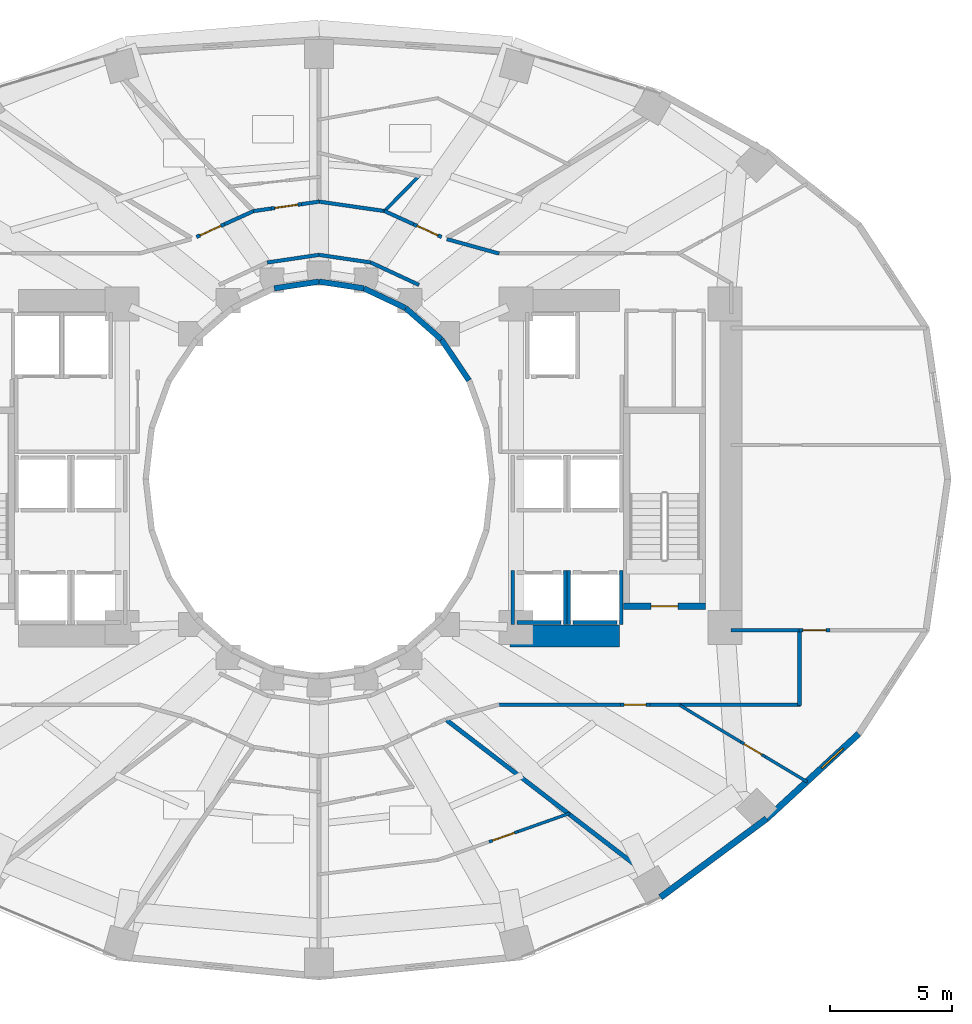
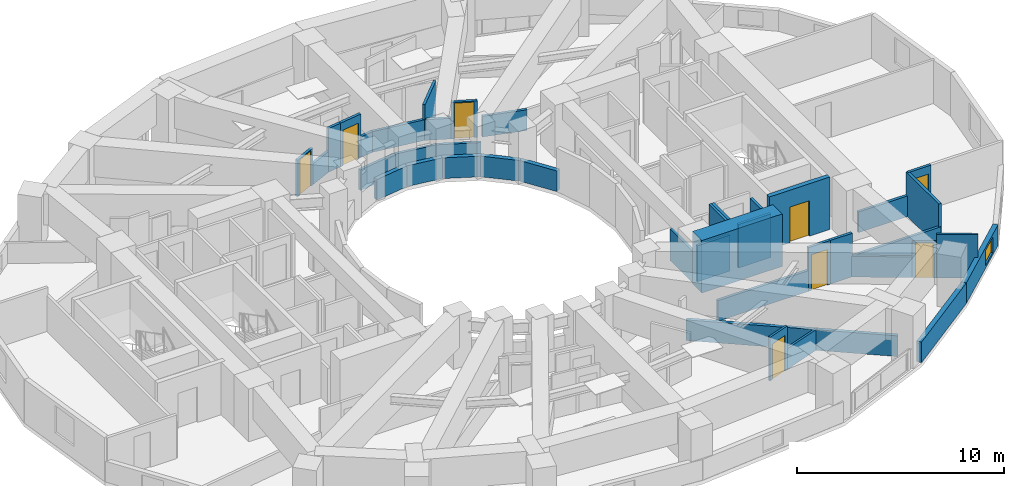
# One storey, part 11 of 16: 41 walls, 8 doors, 1 window, 9 openings.
"""IFC4 building model written with IfcOpenShell, lengths in metres."""

from ifc_helpers import new_model, si_unit, direction, frame, frame_2d, origin, place, context, subcontext, project, spatial, rectangle, extrude, material, layer, layer_set, type_object, element, fill, save


model = new_model("IFC4")

# Units and contexts
model_context = context("Model", 3, precision=1e-05, world=origin(), true_north=direction((0.0, 1.0)))
body_context = subcontext(model_context, "Body", "Model", "MODEL_VIEW")
ifc_project = project(units=[si_unit("LENGTHUNIT", "METRE"), si_unit("AREAUNIT", "SQUARE_METRE"), si_unit("VOLUMEUNIT", "CUBIC_METRE"), si_unit("PLANEANGLEUNIT", "RADIAN"), si_unit("MASSUNIT", "GRAM", prefix="KILO")], contexts=[model_context])

# Site, building, storey
site_placement = place(None, origin())
site = spatial("IfcSite", under=ifc_project, at=site_placement, CompositionType="ELEMENT")
building_placement = place(site_placement, origin())
building = spatial("IfcBuilding", under=site, at=building_placement, Name="Solvane Sanctuary Tower", CompositionType="ELEMENT")
storey_placement = place(building_placement, frame((0.0, 0.0, 61.699951171875)))
storey = spatial("IfcBuildingStorey", under=building, at=storey_placement, Name="L18", CompositionType="ELEMENT", Elevation=61.699951171875)

# Walls
ifc_material_1 = material(Name="Concrete C70/85", Category="concrete")
ifc_layer_1 = layer(ifc_material_1, 0.89990234375, Name="Concrete C70/85")
ifc_layer_set_1 = layer_set([ifc_layer_1], Name="Concrete C70/85")
wall_type_1 = type_object("IfcWallType", Name="Wall W-CORE-900", PredefinedType="SHEAR", material=ifc_layer_set_1)
wall_1_placement = place(storey_placement, frame((39.85009765625, 16.550048828125, 0.0), z_axis=(0.0, 0.0, 1.0), x_axis=(1.0, 0.0, 0.0)))
element("IfcWall", 1, at=wall_1_placement, inside=storey, type_object=wall_type_1, Name="L18 Core Shear Wall EC-S", PredefinedType="SHEAR", context=body_context, shape_type="SweptSolid", body=[
    extrude(rectangle(XDim=4.5, YDim=0.89990234375, at=frame_2d((2.25, 0.0))), origin(), (0.0, 0.0, 1.0), 3.10009765625),
])
ifc_material_2 = material(Name="Acoustic Gypsum Partition Board")
ifc_layer_2 = layer(ifc_material_2, 0.14990234375, Name="Acoustic Gypsum Partition Board")
ifc_layer_set_2 = layer_set([ifc_layer_2], Name="Acoustic Gypsum Partition Board")
wall_type_2 = type_object("IfcWallType", Name="Wall W-CORR-150", PredefinedType="PARTITIONING", material=ifc_layer_set_2)
wall_2_placement = place(storey_placement, frame((36.110107421875, 30.98486328125, 0.0), z_axis=(0.0, 0.0, 1.0), x_axis=(-0.906943449489, 0.421252393975, 0.0)))
element("IfcWall", 2, at=wall_2_placement, inside=storey, type_object=wall_type_2, Name="L18 Light-Well Corridor Rim Wall N1", PredefinedType="PARTITIONING", context=body_context, shape_type="SweptSolid", body=[
    extrude(rectangle(XDim=2.18603515625, YDim=0.14990234375, at=frame_2d((1.093017578125, 0.0))), origin(), (0.0, 0.0, 1.0), 1.219970703125),
])
for number, where, z_axis, x_axis, name in (
    (3, (34.12744140625, 31.90576171875, 0.0), (0.0, 0.0, 1.0), (-0.989268584896, 0.146108408166, 0.0), "L18 Light-Well Corridor Rim Wall N2"),
    (4, (32.0, 32.219970703125, 0.0), (0.0, 0.0, 1.0), (-0.989268584896, -0.146108408166, 0.0), "L18 Light-Well Corridor Rim Wall N3"),
):
    element("IfcWall", number, at=place(storey_placement, frame(where, z_axis=z_axis, x_axis=x_axis)), inside=storey, type_object=wall_type_2, Name=name, PredefinedType="PARTITIONING", context=body_context, shape_type="SweptSolid", body=[
        extrude(rectangle(XDim=2.150634765625, YDim=0.14990234375, at=frame_2d((1.0751953125, 0.0))), origin(), (0.0, 0.0, 1.0), 1.219970703125),
    ])
wall_3_placement = place(storey_placement, frame((48.949951171875, 16.788330078125, 0.0), z_axis=(0.0, 0.0, 1.0), x_axis=(1.0, 0.0, 0.0)))
element("IfcWall", 5, at=wall_3_placement, inside=storey, type_object=wall_type_2, Name="L18 East Shoulder South Wall", PredefinedType="PARTITIONING", context=body_context, shape_type="SweptSolid", body=[
    extrude(rectangle(XDim=2.79296875, YDim=0.14990234375, at=frame_2d((1.396484375, 0.0))), origin(), (0.0, 0.0, 1.0), 1.219970703125),
])

# Wall, opening, door
wall_4_placement = place(storey_placement, frame((51.742919921875, 16.788330078125, 0.0), z_axis=(0.0, 0.0, 1.0), x_axis=(1.0, 0.0, 0.0)))
wall_4 = element("IfcWall", 6, at=wall_4_placement, inside=storey, type_object=wall_type_2, Name="L18 East Shoulder South Wall", PredefinedType="PARTITIONING", context=body_context, shape_type="SweptSolid", body=[
    extrude(rectangle(XDim=1.27001953125, YDim=0.14990234375, at=frame_2d((0.635009765625, 0.0))), origin(), (0.0, 0.0, 1.0), 2.574951171875),
])
opening_1_placement = place(wall_4_placement, frame((0.159912109375, 0.0, 0.0)))
opening_1 = element("IfcOpeningElement", 7, at=opening_1_placement, cuts=wall_4, Name="Opening D-L18-10", PredefinedType="OPENING", context=body_context, shape_type="SweptSolid", body=[
    extrude(rectangle(XDim=0.949951171875, YDim=2.10009765625, at=frame_2d((0.47509765625, 1.050048828125))), frame((0.0, 0.0849609375, 0.0), z_axis=(0.0, -1.0, 0.0), x_axis=(1.0, 0.0, 0.0)), (0.0, 0.0, 1.0), 0.169921875),
])
ifc_material_3 = material(Name="Engineered Tropical Hardwood", Category="wood")
door_type_1 = type_object("IfcDoorType", Name="Door D-ROOM-950", OperationType="NOTDEFINED", PredefinedType="DOOR", material=ifc_material_3)
door_1_placement = place(opening_1_placement, origin())
door_1 = element("IfcDoor", 8, at=door_1_placement, inside=storey, type_object=door_type_1, Name="L18 East Shoulder South Door", OperationType="SINGLE_SWING_LEFT", OverallHeight=2.10009765625, OverallWidth=0.949951171875, PredefinedType="DOOR", context=body_context, shape_type="SweptSolid", body=[
    extrude(rectangle(XDim=0.949951171875, YDim=2.10009765625, at=frame_2d((0.47509765625, 1.050048828125))), frame((0.0, 0.02490234375, 0.0), z_axis=(0.0, -1.0, 0.0), x_axis=(1.0, 0.0, 0.0)), (0.0, 0.0, 1.0), 0.050048828125),
])
fill(opening_1, door_1)

# Walls
wall_5_placement = place(storey_placement, frame((37.258056640625, 32.86669921875, 0.0), z_axis=(0.0, 0.0, 1.0), x_axis=(0.963833843713, -0.266503886865, 0.0)))
element("IfcWall", 9, at=wall_5_placement, inside=storey, type_object=wall_type_2, Name="L18 NE Corner Throat Wall", PredefinedType="PARTITIONING", context=body_context, shape_type="SweptSolid", body=[
    extrude(rectangle(XDim=2.231689453125, YDim=0.14990234375, at=frame_2d((1.11572265625, 0.0))), origin(), (0.0, 0.0, 1.0), 1.219970703125),
])
wall_6_placement = place(storey_placement, frame((51.760009765625, 13.679931640625, 0.0), z_axis=(0.0, 0.0, 1.0), x_axis=(0.0, 1.0, 0.0)))
element("IfcWall", 10, at=wall_6_placement, inside=storey, type_object=wall_type_2, Name="L18 SE Corner Closer 1", PredefinedType="PARTITIONING", context=body_context, shape_type="SweptSolid", body=[
    extrude(rectangle(XDim=3.1484375, YDim=0.14990234375, at=frame_2d((1.57421875, 0.0))), origin(), (0.0, 0.0, 1.0), 2.574951171875),
])
wall_7_placement = place(storey_placement, frame((39.330078125, 13.719970703125, 0.0), z_axis=(0.0, 0.0, 1.0), x_axis=(1.0, 0.0, 0.0)))
element("IfcWall", 11, at=wall_7_placement, inside=storey, type_object=wall_type_2, Name="L18 SE Corner Corridor Wall", PredefinedType="PARTITIONING", context=body_context, shape_type="SweptSolid", body=[
    extrude(rectangle(XDim=5.059814453125, YDim=0.14990234375, at=frame_2d((2.52978515625, 0.0))), origin(), (0.0, 0.0, 1.0), 1.219970703125),
])

# Wall, opening, door
wall_8_placement = place(storey_placement, frame((44.389892578125, 13.719970703125, 0.0), z_axis=(0.0, 0.0, 1.0), x_axis=(1.0, 0.0, 0.0)))
wall_8 = element("IfcWall", 12, at=wall_8_placement, inside=storey, type_object=wall_type_2, Name="L18 SE Corner Corridor Wall", PredefinedType="PARTITIONING", context=body_context, shape_type="SweptSolid", body=[
    extrude(rectangle(XDim=1.22021484375, YDim=0.14990234375, at=frame_2d((0.610107421875, 0.0))), origin(), (0.0, 0.0, 1.0), 2.574951171875),
])
opening_2_placement = place(wall_8_placement, frame((0.159912109375, 0.0, 0.0)))
opening_2 = element("IfcOpeningElement", 13, at=opening_2_placement, cuts=wall_8, Name="Opening D-L18-19", PredefinedType="OPENING", context=body_context, shape_type="SweptSolid", body=[
    extrude(rectangle(XDim=0.89990234375, YDim=2.10009765625, at=frame_2d((0.449951171875, 1.050048828125))), frame((0.0, 0.0849609375, 0.0), z_axis=(0.0, -1.0, 0.0), x_axis=(1.0, 0.0, 0.0)), (0.0, 0.0, 1.0), 0.169921875),
])
door_type_2 = type_object("IfcDoorType", Name="Door D-WET-900", OperationType="NOTDEFINED", PredefinedType="DOOR", material=ifc_material_3)
door_2_placement = place(opening_2_placement, origin())
door_2 = element("IfcDoor", 14, at=door_2_placement, inside=storey, type_object=door_type_2, Name="L18 SE Corner Salon Door", OperationType="SINGLE_SWING_RIGHT", OverallHeight=2.10009765625, OverallWidth=0.89990234375, PredefinedType="DOOR", context=body_context, shape_type="SweptSolid", body=[
    extrude(rectangle(XDim=0.89990234375, YDim=2.10009765625, at=frame_2d((0.449951171875, 1.050048828125))), frame((0.0, 0.02490234375, 0.0), z_axis=(0.0, -1.0, 0.0), x_axis=(1.0, 0.0, 0.0)), (0.0, 0.0, 1.0), 0.050048828125),
])
fill(opening_2, door_2)

# Walls
wall_9_placement = place(storey_placement, frame((45.610107421875, 13.719970703125, 0.0), z_axis=(0.0, 0.0, 1.0), x_axis=(1.0, 0.0, 0.0)))
element("IfcWall", 15, at=wall_9_placement, inside=storey, type_object=wall_type_2, Name="L18 SE Corner Corridor Wall", PredefinedType="PARTITIONING", context=body_context, shape_type="SweptSolid", body=[
    extrude(rectangle(XDim=1.239990234375, YDim=0.14990234375, at=frame_2d((0.6201171875, 0.0))), origin(), (0.0, 0.0, 1.0), 2.574951171875),
])
wall_10_placement = place(storey_placement, frame((46.75, 13.719970703125, 0.0), z_axis=(0.0, 0.0, 1.0), x_axis=(1.0, 0.0, 0.0)))
element("IfcWall", 16, at=wall_10_placement, inside=storey, type_object=wall_type_2, Name="L18 SE Corner Wing Wall", PredefinedType="PARTITIONING", context=body_context, shape_type="SweptSolid", body=[
    extrude(rectangle(XDim=5.050048828125, YDim=0.14990234375, at=frame_2d((2.52490234375, 0.0))), origin(), (0.0, 0.0, 1.0), 1.219970703125),
])
wall_11_placement = place(storey_placement, frame((34.743896484375, 34.01416015625, 0.0), z_axis=(0.0, 0.0, 1.0), x_axis=(-0.989761784218, 0.142729150844, 0.0)))
element("IfcWall", 17, at=wall_11_placement, inside=storey, type_object=wall_type_2, Name="L18 En-suite Inner Wall N1", PredefinedType="PARTITIONING", context=body_context, shape_type="SweptSolid", body=[
    extrude(rectangle(XDim=2.822265625, YDim=0.14990234375, at=frame_2d((1.4111328125, 0.0))), origin(), (0.0, 0.0, 1.0), 1.219970703125),
])

# Wall, opening, door
wall_12_placement = place(storey_placement, frame((37.0419921875, 32.954345703125, 0.0), z_axis=(0.0, 0.0, 1.0), x_axis=(-0.910596749825, 0.413295970472, 0.0)))
wall_12 = element("IfcWall", 18, at=wall_12_placement, inside=storey, type_object=wall_type_2, Name="L18 Unit Corridor Wall N1", PredefinedType="PARTITIONING", context=body_context, shape_type="SweptSolid", body=[
    extrude(rectangle(XDim=1.27001953125, YDim=0.14990234375, at=frame_2d((0.635009765625, 0.0))), origin(), (0.0, 0.0, 1.0), 2.16015625),
])
opening_3_placement = place(wall_12_placement, frame((0.159912109375, 0.0, 0.0)))
opening_3 = element("IfcOpeningElement", 19, at=opening_3_placement, cuts=wall_12, Name="Opening D-L18-22", PredefinedType="OPENING", context=body_context, shape_type="SweptSolid", body=[
    extrude(rectangle(XDim=0.949951171875, YDim=2.10009765625, at=frame_2d((0.47509765625, 1.050048828125))), frame((0.0, 0.0849609375, 0.0), z_axis=(0.0, -1.0, 0.0), x_axis=(1.0, 0.0, 0.0)), (0.0, 0.0, 1.0), 0.169921875),
])
door_3_placement = place(opening_3_placement, origin())
door_3 = element("IfcDoor", 20, at=door_3_placement, inside=storey, type_object=door_type_1, Name="L18 Unit Entrance Door N1", OperationType="SINGLE_SWING_LEFT", OverallHeight=2.10009765625, OverallWidth=0.949951171875, PredefinedType="DOOR", context=body_context, shape_type="SweptSolid", body=[
    extrude(rectangle(XDim=0.949951171875, YDim=2.10009765625, at=frame_2d((0.47509765625, 1.050048828125))), frame((0.0, 0.02490234375, 0.0), z_axis=(0.0, -1.0, 0.0), x_axis=(1.0, 0.0, 0.0)), (0.0, 0.0, 1.0), 0.050048828125),
])
fill(opening_3, door_3)

# Walls
wall_13_placement = place(storey_placement, frame((35.885498046875, 33.479248046875, 0.0), z_axis=(0.0, 0.0, 1.0), x_axis=(-0.910569685542, 0.413355594822, 0.0)))
element("IfcWall", 21, at=wall_13_placement, inside=storey, type_object=wall_type_2, Name="L18 Unit Corridor Wall N1", PredefinedType="PARTITIONING", context=body_context, shape_type="SweptSolid", body=[
    extrude(rectangle(XDim=1.31591796875, YDim=0.14990234375, at=frame_2d((0.657958984375, 0.0))), origin(), (0.0, 0.0, 1.0), 1.219970703125),
])
wall_14_placement = place(storey_placement, frame((32.00732421875, 34.409912109375, 0.0), z_axis=(0.0, 0.0, 1.0), x_axis=(-0.989795766197, -0.142493302365, 0.0)))
element("IfcWall", 22, at=wall_14_placement, inside=storey, type_object=wall_type_2, Name="L18 Unit Corridor Wall N2", PredefinedType="PARTITIONING", context=body_context, shape_type="SweptSolid", body=[
    extrude(rectangle(XDim=0.7333984375, YDim=0.14990234375, at=frame_2d((0.36669921875, 0.0))), origin(), (0.0, 0.0, 1.0), 1.219970703125),
])

# Wall, opening, door
wall_15_placement = place(storey_placement, frame((31.281494140625, 34.305419921875, 0.0), z_axis=(0.0, 0.0, 1.0), x_axis=(-0.989721405299, -0.14300888047, 0.0)))
wall_15 = element("IfcWall", 23, at=wall_15_placement, inside=storey, type_object=wall_type_2, Name="L18 Unit Corridor Wall N2", PredefinedType="PARTITIONING", context=body_context, shape_type="SweptSolid", body=[
    extrude(rectangle(XDim=1.27001953125, YDim=0.14990234375, at=frame_2d((0.635009765625, 0.0))), origin(), (0.0, 0.0, 1.0), 2.574951171875),
])
opening_4_placement = place(wall_15_placement, frame((0.159912109375, 0.0, 0.0)))
opening_4 = element("IfcOpeningElement", 24, at=opening_4_placement, cuts=wall_15, Name="Opening D-L18-24", PredefinedType="OPENING", context=body_context, shape_type="SweptSolid", body=[
    extrude(rectangle(XDim=0.949951171875, YDim=2.10009765625, at=frame_2d((0.47509765625, 1.050048828125))), frame((0.0, 0.0849609375, 0.0), z_axis=(0.0, -1.0, 0.0), x_axis=(1.0, 0.0, 0.0)), (0.0, 0.0, 1.0), 0.169921875),
])
door_4_placement = place(opening_4_placement, origin())
door_4 = element("IfcDoor", 25, at=door_4_placement, inside=storey, type_object=door_type_1, Name="L18 Unit Entrance Door N2", OperationType="SINGLE_SWING_LEFT", OverallHeight=2.10009765625, OverallWidth=0.949951171875, PredefinedType="DOOR", context=body_context, shape_type="SweptSolid", body=[
    extrude(rectangle(XDim=0.949951171875, YDim=2.10009765625, at=frame_2d((0.47509765625, 1.050048828125))), frame((0.0, 0.02490234375, 0.0), z_axis=(0.0, -1.0, 0.0), x_axis=(1.0, 0.0, 0.0)), (0.0, 0.0, 1.0), 0.050048828125),
])
fill(opening_4, door_4)

# Walls
wall_16_placement = place(storey_placement, frame((30.0244140625, 34.123779296875, 0.0), z_axis=(0.0, 0.0, 1.0), x_axis=(-0.98974875873, -0.142819447526, 0.0)))
element("IfcWall", 26, at=wall_16_placement, inside=storey, type_object=wall_type_2, Name="L18 Unit Corridor Wall N2", PredefinedType="PARTITIONING", context=body_context, shape_type="SweptSolid", body=[
    extrude(rectangle(XDim=0.7333984375, YDim=0.14990234375, at=frame_2d((0.36669921875, 0.0))), origin(), (0.0, 0.0, 1.0), 2.574951171875),
])
wall_17_placement = place(storey_placement, frame((29.312744140625, 34.023193359375, 0.0), z_axis=(0.0, 0.0, 1.0), x_axis=(-0.910569685542, -0.413355594822, 0.0)))
element("IfcWall", 27, at=wall_17_placement, inside=storey, type_object=wall_type_2, Name="L18 Unit Corridor Wall N3", PredefinedType="PARTITIONING", context=body_context, shape_type="SweptSolid", body=[
    extrude(rectangle(XDim=1.31591796875, YDim=0.14990234375, at=frame_2d((0.657958984375, 0.0))), origin(), (0.0, 0.0, 1.0), 1.219970703125),
])

# Wall, opening, door
wall_18_placement = place(storey_placement, frame((28.114501953125, 33.479248046875, 0.0), z_axis=(0.0, 0.0, 1.0), x_axis=(-0.910596749825, -0.413295970472, 0.0)))
wall_18 = element("IfcWall", 28, at=wall_18_placement, inside=storey, type_object=wall_type_2, Name="L18 Unit Corridor Wall N3", PredefinedType="PARTITIONING", context=body_context, shape_type="SweptSolid", body=[
    extrude(rectangle(XDim=1.27001953125, YDim=0.14990234375, at=frame_2d((0.635009765625, 0.0))), origin(), (0.0, 0.0, 1.0), 2.16015625),
])
opening_5_placement = place(wall_18_placement, frame((0.159912109375, 0.0, 0.0)))
opening_5 = element("IfcOpeningElement", 29, at=opening_5_placement, cuts=wall_18, Name="Opening D-L18-25", PredefinedType="OPENING", context=body_context, shape_type="SweptSolid", body=[
    extrude(rectangle(XDim=0.949951171875, YDim=2.10009765625, at=frame_2d((0.47509765625, 1.050048828125))), frame((0.0, 0.0849609375, 0.0), z_axis=(0.0, -1.0, 0.0), x_axis=(1.0, 0.0, 0.0)), (0.0, 0.0, 1.0), 0.169921875),
])
door_5_placement = place(opening_5_placement, origin())
door_5 = element("IfcDoor", 30, at=door_5_placement, inside=storey, type_object=door_type_1, Name="L18 Unit Entrance Door N3", OperationType="SINGLE_SWING_RIGHT", OverallHeight=2.10009765625, OverallWidth=0.949951171875, PredefinedType="DOOR", context=body_context, shape_type="SweptSolid", body=[
    extrude(rectangle(XDim=0.949951171875, YDim=2.10009765625, at=frame_2d((0.47509765625, 1.050048828125))), frame((0.0, 0.02490234375, 0.0), z_axis=(0.0, -1.0, 0.0), x_axis=(1.0, 0.0, 0.0)), (0.0, 0.0, 1.0), 0.050048828125),
])
fill(opening_5, door_5)

# Wall
ifc_material_4 = material(Name="Precast concrete C40/50", Category="concrete")
ifc_layer_3 = layer(ifc_material_4, 0.260009765625, Name="Precast concrete C40/50")
ifc_layer_set_3 = layer_set([ifc_layer_3], Name="Precast concrete C40/50")
wall_type_3 = type_object("IfcWallType", Name="Wall W-EXT-250", PredefinedType="STANDARD", material=ifc_layer_set_3)
wall_19_placement = place(storey_placement, frame((46.0419921875, 5.802978515625, 0.0), z_axis=(0.0, 0.0, 1.0), x_axis=(0.803477531792, 0.595335078679, 0.0)))
element("IfcWall", 31, at=wall_19_placement, inside=storey, type_object=wall_type_3, Name="L18 Ceramic-Printed Facade Wall 20", PredefinedType="STANDARD", context=body_context, shape_type="SweptSolid", body=[
    extrude(rectangle(XDim=5.4296875, YDim=0.260009765625, at=frame_2d((2.71484375, 0.0))), origin(), (0.0, 0.0, 1.0), 1.219970703125),
])

# Wall, opening, window
wall_20_placement = place(storey_placement, frame((50.404541015625, 9.035400390625, 0.0), z_axis=(0.0, 0.0, 1.0), x_axis=(0.735655109293, 0.67735630223, 0.0)))
wall_20 = element("IfcWall", 32, at=wall_20_placement, inside=storey, type_object=wall_type_3, Name="L18 Ceramic-Printed Facade Wall 21", PredefinedType="STANDARD", context=body_context, shape_type="SweptSolid", body=[
    extrude(rectangle(XDim=5.15087890625, YDim=0.260009765625, at=frame_2d((2.575439453125, 0.0))), origin(), (0.0, 0.0, 1.0), 1.219970703125),
])
opening_6_placement = place(wall_20_placement, frame((3.073974609375, 0.0, 0.14990234375)))
opening_6 = element("IfcOpeningElement", 33, at=opening_6_placement, cuts=wall_20, Name="Opening WN-OPER-1200", PredefinedType="OPENING", context=body_context, shape_type="SweptSolid", body=[
    extrude(rectangle(XDim=1.199951171875, YDim=0.89990234375, at=frame_2d((0.60009765625, 0.449951171875))), frame((0.0, 0.139892578125, 0.0), z_axis=(0.0, -1.0, 0.0), x_axis=(1.0, 0.0, 0.0)), (0.0, 0.0, 1.0), 0.280029296875),
])
ifc_material_5 = material(Name="Dark Ceramic-Fritted Low-E Glass", Category="glass")
window_type = type_object("IfcWindowType", Name="Window WN-OPER-1200", PartitioningType="SINGLE_PANEL", PredefinedType="WINDOW", material=ifc_material_5)
window_placement = place(opening_6_placement, origin())
window = element("IfcWindow", 34, at=window_placement, inside=storey, type_object=window_type, Name="L18 Operable Facade Window 21", OverallHeight=0.89990234375, OverallWidth=1.199951171875, PartitioningType="SINGLE_PANEL", PredefinedType="WINDOW", context=body_context, shape_type="SweptSolid", body=[
    extrude(rectangle(XDim=1.199951171875, YDim=0.89990234375, at=frame_2d((0.60009765625, 0.449951171875))), frame((0.0, 0.030029296875, 0.0), z_axis=(0.0, -1.0, 0.0), x_axis=(1.0, 0.0, 0.0)), (0.0, 0.0, 1.0), 0.06005859375),
])
fill(opening_6, window)

# Walls
ifc_layer_4 = layer(ifc_material_4, 0.22998046875, Name="Precast concrete C40/50")
ifc_layer_set_4 = layer_set([ifc_layer_4], Name="Precast concrete C40/50")
wall_type_4 = type_object("IfcWallType", Name="Wall W-EXT-SP220", PredefinedType="STANDARD", material=ifc_layer_set_4)
wall_21_placement = place(storey_placement, frame((38.166015625, 27.06005859375, 0.0), z_axis=(0.0, 0.0, 1.0), x_axis=(-0.558197800898, 0.829707909492, 0.0)))
element("IfcWall", 35, at=wall_21_placement, inside=storey, type_object=wall_type_4, Name="L18 Central Light-Well Wall 02", PredefinedType="STANDARD", context=body_context, shape_type="SweptSolid", body=[
    extrude(rectangle(XDim=2.02685546875, YDim=0.22998046875, at=frame_2d((1.013427734375, 0.0))), origin(), (0.0, 0.0, 1.0), 1.219970703125),
])
wall_22_placement = place(storey_placement, frame((37.03466796875, 28.74169921875, 0.0), z_axis=(0.0, 0.0, 1.0), x_axis=(-0.752576694707, 0.658504607869, 0.0)))
element("IfcWall", 36, at=wall_22_placement, inside=storey, type_object=wall_type_4, Name="L18 Central Light-Well Wall 03", PredefinedType="STANDARD", context=body_context, shape_type="SweptSolid", body=[
    extrude(rectangle(XDim=1.95947265625, YDim=0.22998046875, at=frame_2d((0.979736328125, 0.0))), origin(), (0.0, 0.0, 1.0), 1.219970703125),
])
wall_23_placement = place(storey_placement, frame((35.56005859375, 30.031982421875, 0.0), z_axis=(0.0, 0.0, 1.0), x_axis=(-0.904179699603, 0.427152280606, 0.0)))
element("IfcWall", 37, at=wall_23_placement, inside=storey, type_object=wall_type_4, Name="L18 Central Light-Well Wall 04", PredefinedType="STANDARD", context=body_context, shape_type="SweptSolid", body=[
    extrude(rectangle(XDim=1.899169921875, YDim=0.22998046875, at=frame_2d((0.94970703125, 0.0))), origin(), (0.0, 0.0, 1.0), 1.219970703125),
])
for number, where, z_axis, x_axis, name in (
    (38, (33.8427734375, 30.84326171875, 0.0), (0.0, 0.0, 1.0), (-0.988901730308, 0.148571086668, 0.0), "L18 Central Light-Well Wall 05"),
    (39, (32.0, 31.1201171875, 0.0), (0.0, 0.0, 1.0), (-0.988901730308, -0.148571086668, 0.0), "L18 Central Light-Well Wall 06"),
):
    element("IfcWall", number, at=place(storey_placement, frame(where, z_axis=z_axis, x_axis=x_axis)), inside=storey, type_object=wall_type_4, Name=name, PredefinedType="STANDARD", context=body_context, shape_type="SweptSolid", body=[
        extrude(rectangle(XDim=1.863525390625, YDim=0.22998046875, at=frame_2d((0.931640625, 0.0))), origin(), (0.0, 0.0, 1.0), 1.219970703125),
    ])
ifc_layer_5 = layer(ifc_material_2, 0.1201171875, Name="Acoustic Gypsum Partition Board")
ifc_layer_set_5 = layer_set([ifc_layer_5], Name="Acoustic Gypsum Partition Board")
wall_type_5 = type_object("IfcWallType", Name="Wall W-MOV-100", PredefinedType="MOVABLE", material=ifc_layer_set_5)
wall_24_placement = place(storey_placement, frame((46.757080078125, 13.745849609375, 0.0), z_axis=(0.0, 0.0, 1.0), x_axis=(0.85690055002, -0.515481762408, 0.0)))
element("IfcWall", 40, at=wall_24_placement, inside=storey, type_object=wall_type_5, Name="L18 SE Corner Suite Partition", PredefinedType="MOVABLE", context=body_context, shape_type="SweptSolid", body=[
    extrude(rectangle(XDim=3.021240234375, YDim=0.1201171875, at=frame_2d((1.5107421875, 0.0))), origin(), (0.0, 0.0, 1.0), 1.219970703125),
])

# Wall, opening, door
wall_25_placement = place(storey_placement, frame((49.345947265625, 12.1884765625, 0.0), z_axis=(0.0, 0.0, 1.0), x_axis=(0.856958544896, -0.515385343534, 0.0)))
wall_25 = element("IfcWall", 41, at=wall_25_placement, inside=storey, type_object=wall_type_5, Name="L18 SE Corner Suite Partition", PredefinedType="MOVABLE", context=body_context, shape_type="SweptSolid", body=[
    extrude(rectangle(XDim=1.170166015625, YDim=0.1201171875, at=frame_2d((0.5849609375, 0.0))), origin(), (0.0, 0.0, 1.0), 2.110107421875),
])
opening_7_placement = place(wall_25_placement, frame((0.159912109375, 0.0, 0.0)))
opening_7 = element("IfcOpeningElement", 42, at=opening_7_placement, cuts=wall_25, Name="Opening D-L18-18", PredefinedType="OPENING", context=body_context, shape_type="SweptSolid", body=[
    extrude(rectangle(XDim=0.85009765625, YDim=2.050048828125, at=frame_2d((0.425048828125, 1.02490234375))), frame((0.0, 0.070068359375, 0.0), z_axis=(0.0, -1.0, 0.0), x_axis=(1.0, 0.0, 0.0)), (0.0, 0.0, 1.0), 0.14013671875),
])
ifc_material_6 = material(Name="Architectural Stainless Steel 316", Category="steel")
door_type_3 = type_object("IfcDoorType", Name="Door D-RISER", OperationType="NOTDEFINED", PredefinedType="DOOR", material=ifc_material_6)
door_6_placement = place(opening_7_placement, origin())
door_6 = element("IfcDoor", 43, at=door_6_placement, inside=storey, type_object=door_type_3, Name="L18 SE Corner Suite Door", OperationType="SINGLE_SWING_LEFT", OverallHeight=2.050048828125, OverallWidth=0.85009765625, PredefinedType="DOOR", context=body_context, shape_type="SweptSolid", body=[
    extrude(rectangle(XDim=0.85009765625, YDim=2.050048828125, at=frame_2d((0.425048828125, 1.02490234375))), frame((0.0, 0.02490234375, 0.0), z_axis=(0.0, -1.0, 0.0), x_axis=(1.0, 0.0, 0.0)), (0.0, 0.0, 1.0), 0.050048828125),
])
fill(opening_7, door_6)

# Wall
wall_26_placement = place(storey_placement, frame((50.3486328125, 11.58544921875, 0.0), z_axis=(0.0, 0.0, 1.0), x_axis=(0.856884567555, -0.515508329599, 0.0)))
element("IfcWall", 44, at=wall_26_placement, inside=storey, type_object=wall_type_5, Name="L18 SE Corner Suite Partition", PredefinedType="MOVABLE", context=body_context, shape_type="SweptSolid", body=[
    extrude(rectangle(XDim=2.020263671875, YDim=0.1201171875, at=frame_2d((1.01025390625, 0.0))), origin(), (0.0, 0.0, 1.0), 2.574951171875),
])

# Wall, opening, door
wall_27_placement = place(storey_placement, frame((38.99169921875, 8.080810546875, 0.0), z_axis=(0.0, 0.0, 1.0), x_axis=(0.942677624698, 0.333704803523, 0.0)))
wall_27 = element("IfcWall", 45, at=wall_27_placement, inside=storey, type_object=wall_type_5, Name="L18 Suite Sitting Lounge Partition S3", PredefinedType="MOVABLE", context=body_context, shape_type="SweptSolid", body=[
    extrude(rectangle(XDim=1.27001953125, YDim=0.1201171875, at=frame_2d((0.635009765625, 0.0))), origin(), (0.0, 0.0, 1.0), 2.574951171875),
])
opening_8_placement = place(wall_27_placement, frame((0.159912109375, 0.0, 0.0)))
opening_8 = element("IfcOpeningElement", 46, at=opening_8_placement, cuts=wall_27, Name="Opening D-L18-29", PredefinedType="OPENING", context=body_context, shape_type="SweptSolid", body=[
    extrude(rectangle(XDim=0.949951171875, YDim=2.10009765625, at=frame_2d((0.47509765625, 1.050048828125))), frame((0.0, 0.070068359375, 0.0), z_axis=(0.0, -1.0, 0.0), x_axis=(1.0, 0.0, 0.0)), (0.0, 0.0, 1.0), 0.14013671875),
])
door_7_placement = place(opening_8_placement, origin())
door_7 = element("IfcDoor", 47, at=door_7_placement, inside=storey, type_object=door_type_1, Name="L18 Suite Sitting Lounge Door S3", OperationType="SINGLE_SWING_RIGHT", OverallHeight=2.10009765625, OverallWidth=0.949951171875, PredefinedType="DOOR", context=body_context, shape_type="SweptSolid", body=[
    extrude(rectangle(XDim=0.949951171875, YDim=2.10009765625, at=frame_2d((0.47509765625, 1.050048828125))), frame((0.0, 0.02490234375, 0.0), z_axis=(0.0, -1.0, 0.0), x_axis=(1.0, 0.0, 0.0)), (0.0, 0.0, 1.0), 0.050048828125),
])
fill(opening_8, door_7)

# Walls
wall_28_placement = place(storey_placement, frame((40.18896484375, 8.504638671875, 0.0), z_axis=(0.0, 0.0, 1.0), x_axis=(0.942687047554, 0.333678183845, 0.0)))
element("IfcWall", 48, at=wall_28_placement, inside=storey, type_object=wall_type_5, Name="L18 Suite Sitting Lounge Partition S3", PredefinedType="MOVABLE", context=body_context, shape_type="SweptSolid", body=[
    extrude(rectangle(XDim=2.246826171875, YDim=0.1201171875, at=frame_2d((1.12353515625, 0.0))), origin(), (0.0, 0.0, 1.0), 1.219970703125),
])
ifc_material_7 = material(Name="Concrete C50/60", Category="concrete")
ifc_layer_6 = layer(ifc_material_7, 0.14990234375, Name="Concrete C50/60")
ifc_layer_set_6 = layer_set([ifc_layer_6], Name="Concrete C50/60")
wall_type_6 = type_object("IfcWallType", Name="Wall W-SHAFT-150", PredefinedType="SOLIDWALL", material=ifc_layer_set_6)
wall_29_placement = place(storey_placement, frame((40.139892578125, 17.10009765625, 0.0), z_axis=(0.0, 0.0, 1.0), x_axis=(1.0, 0.0, 0.0)))
element("IfcWall", 49, at=wall_29_placement, inside=storey, type_object=wall_type_6, Name="L18 PL-3 Lift Shaft Wall B", PredefinedType="SOLIDWALL", context=body_context, shape_type="SweptSolid", body=[
    extrude(rectangle(XDim=1.820068359375, YDim=0.14990234375, at=frame_2d((0.91015625, 0.0))), origin(), (0.0, 0.0, 1.0), 2.1201171875),
])
wall_30_placement = place(storey_placement, frame((39.969970703125, 17.02001953125, 0.0), z_axis=(0.0, 0.0, 1.0), x_axis=(0.0, 1.0, 0.0)))
element("IfcWall", 50, at=wall_30_placement, inside=storey, type_object=wall_type_6, Name="L18 PL-3 Lift Shaft Wall S1", PredefinedType="SOLIDWALL", context=body_context, shape_type="SweptSolid", body=[
    extrude(rectangle(XDim=2.219970703125, YDim=0.14990234375, at=frame_2d((1.10986328125, 0.0))), origin(), (0.0, 0.0, 1.0), 1.873046875),
])
wall_31_placement = place(storey_placement, frame((42.1298828125, 17.02001953125, 0.0), z_axis=(0.0, 0.0, 1.0), x_axis=(0.0, 1.0, 0.0)))
element("IfcWall", 51, at=wall_31_placement, inside=storey, type_object=wall_type_6, Name="L18 PL-3 Lift Shaft Wall S2", PredefinedType="SOLIDWALL", context=body_context, shape_type="SweptSolid", body=[
    extrude(rectangle(XDim=2.219970703125, YDim=0.14990234375, at=frame_2d((1.10986328125, 0.0))), origin(), (0.0, 0.0, 1.0), 2.574951171875),
])
wall_32_placement = place(storey_placement, frame((42.43994140625, 17.10009765625, 0.0), z_axis=(0.0, 0.0, 1.0), x_axis=(1.0, 0.0, 0.0)))
element("IfcWall", 52, at=wall_32_placement, inside=storey, type_object=wall_type_6, Name="L18 PL-4 Lift Shaft Wall B", PredefinedType="SOLIDWALL", context=body_context, shape_type="SweptSolid", body=[
    extrude(rectangle(XDim=1.820068359375, YDim=0.14990234375, at=frame_2d((0.91015625, 0.0))), origin(), (0.0, 0.0, 1.0), 2.574951171875),
])
wall_33_placement = place(storey_placement, frame((42.27001953125, 17.02001953125, 0.0), z_axis=(0.0, 0.0, 1.0), x_axis=(0.0, 1.0, 0.0)))
element("IfcWall", 53, at=wall_33_placement, inside=storey, type_object=wall_type_6, Name="L18 PL-4 Lift Shaft Wall S1", PredefinedType="SOLIDWALL", context=body_context, shape_type="SweptSolid", body=[
    extrude(rectangle(XDim=2.219970703125, YDim=0.14990234375, at=frame_2d((1.10986328125, 0.0))), origin(), (0.0, 0.0, 1.0), 2.574951171875),
])
wall_34_placement = place(storey_placement, frame((44.429931640625, 17.02001953125, 0.0), z_axis=(0.0, 0.0, 1.0), x_axis=(0.0, 1.0, 0.0)))
element("IfcWall", 54, at=wall_34_placement, inside=storey, type_object=wall_type_6, Name="L18 PL-4 Lift Shaft Wall S2", PredefinedType="SOLIDWALL", context=body_context, shape_type="SweptSolid", body=[
    extrude(rectangle(XDim=2.219970703125, YDim=0.14990234375, at=frame_2d((1.10986328125, 0.0))), origin(), (0.0, 0.0, 1.0), 2.1201171875),
])

# Wall, opening, door
ifc_layer_7 = layer(ifc_material_7, 0.25, Name="Concrete C50/60")
ifc_layer_set_7 = layer_set([ifc_layer_7], Name="Concrete C50/60")
wall_type_7 = type_object("IfcWallType", Name="Wall W-SHAFT-250", PredefinedType="SOLIDWALL", material=ifc_layer_set_7)
wall_35_placement = place(storey_placement, frame((44.52490234375, 17.77001953125, 0.0), z_axis=(0.0, 0.0, 1.0), x_axis=(1.0, 0.0, 0.0)))
wall_35 = element("IfcWall", 55, at=wall_35_placement, inside=storey, type_object=wall_type_7, Name="L18 ST-2 Load-Bearing Shaft Wall S", PredefinedType="SOLIDWALL", context=body_context, shape_type="SweptSolid", body=[
    extrude(rectangle(XDim=3.3701171875, YDim=0.25, at=frame_2d((1.68505859375, 0.0))), origin(), (0.0, 0.0, 1.0), 3.10009765625),
])
opening_9_placement = place(wall_35_placement, frame((1.135009765625, 0.0, 0.0)))
opening_9 = element("IfcOpeningElement", 56, at=opening_9_placement, cuts=wall_35, Name="Opening D-L18-02", PredefinedType="OPENING", context=body_context, shape_type="SweptSolid", body=[
    extrude(rectangle(XDim=1.10009765625, YDim=2.10009765625, at=frame_2d((0.550048828125, 1.050048828125))), frame((0.0, 0.135009765625, 0.0), z_axis=(0.0, -1.0, 0.0), x_axis=(1.0, 0.0, 0.0)), (0.0, 0.0, 1.0), 0.27001953125),
])
door_type_4 = type_object("IfcDoorType", Name="Door D-STAIR", OperationType="NOTDEFINED", PredefinedType="DOOR", material=ifc_material_6)
door_8_placement = place(opening_9_placement, origin())
door_8 = element("IfcDoor", 57, at=door_8_placement, inside=storey, type_object=door_type_4, Name="L18 ST-2 Exit Stair Fire Door", OperationType="SINGLE_SWING_LEFT", OverallHeight=2.10009765625, OverallWidth=1.10009765625, PredefinedType="DOOR", context=body_context, shape_type="SweptSolid", body=[
    extrude(rectangle(XDim=1.10009765625, YDim=2.10009765625, at=frame_2d((0.550048828125, 1.050048828125))), frame((0.0, 0.02490234375, 0.0), z_axis=(0.0, -1.0, 0.0), x_axis=(1.0, 0.0, 0.0)), (0.0, 0.0, 1.0), 0.050048828125),
])
fill(opening_9, door_8)

# Walls
ifc_layer_8 = layer(ifc_material_2, 0.179931640625, Name="Acoustic Gypsum Partition Board")
ifc_layer_set_8 = layer_set([ifc_layer_8], Name="Acoustic Gypsum Partition Board")
wall_type_8 = type_object("IfcWallType", Name="Wall W-UNIT-180", PredefinedType="PARTITIONING", material=ifc_layer_set_8)
wall_36_placement = place(storey_placement, frame((37.24853515625, 13.085205078125, 0.0), z_axis=(0.0, 0.0, 1.0), x_axis=(0.793181014702, -0.608985942298, 0.0)))
element("IfcWall", 58, at=wall_36_placement, inside=storey, type_object=wall_type_8, Name="L18 Radial Compartment Wall 300", PredefinedType="PARTITIONING", context=body_context, shape_type="SweptSolid", body=[
    extrude(rectangle(XDim=10.323974609375, YDim=0.179931640625, at=frame_2d((5.162109375, 0.0))), origin(), (0.0, 0.0, 1.0), 1.219970703125),
])
ifc_layer_9 = layer(ifc_material_2, 0.139892578125, Name="Acoustic Gypsum Partition Board")
ifc_layer_set_9 = layer_set([ifc_layer_9], Name="Acoustic Gypsum Partition Board")
wall_type_9 = type_object("IfcWallType", Name="Wall W-WET-140", PredefinedType="PLUMBINGWALL", material=ifc_layer_set_9)
wall_37_placement = place(storey_placement, frame((34.6591796875, 33.985595703125, 0.0), z_axis=(0.0, 0.0, 1.0), x_axis=(0.700331728855, 0.713817532398, 0.0)))
element("IfcWall", 59, at=wall_37_placement, inside=storey, type_object=wall_type_9, Name="L18 En-suite Side Partition N1", PredefinedType="PLUMBINGWALL", context=body_context, shape_type="SweptSolid", body=[
    extrude(rectangle(XDim=2.10009765625, YDim=0.139892578125, at=frame_2d((1.050048828125, 0.0))), origin(), (0.0, 0.0, 1.0), 2.10498046875),
])

save(model, "model.ifc")
